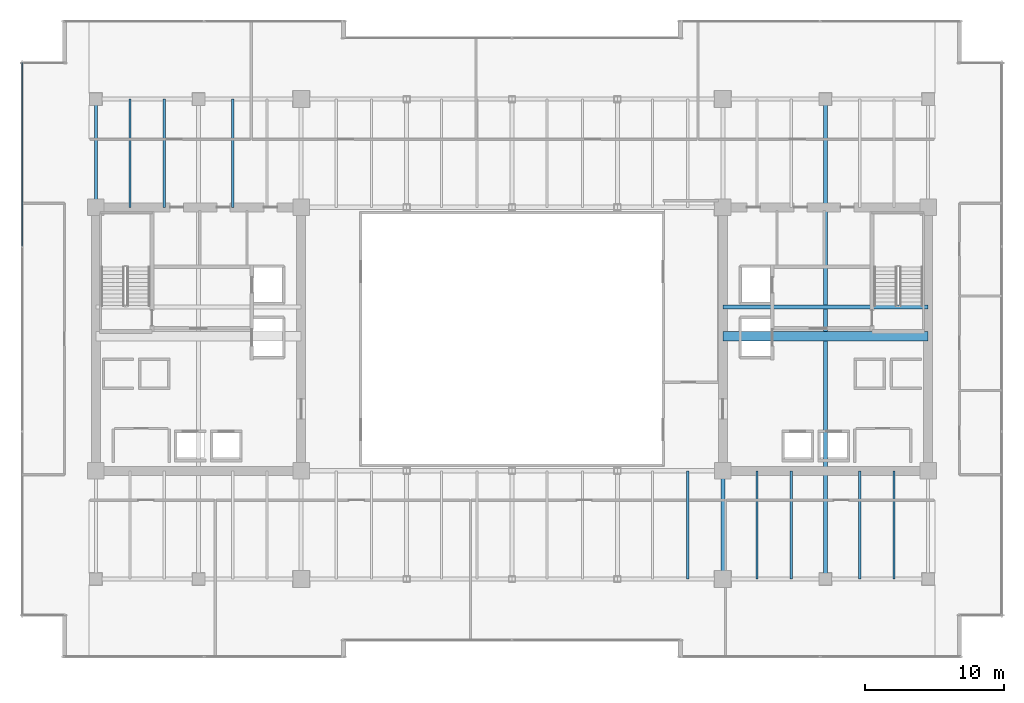
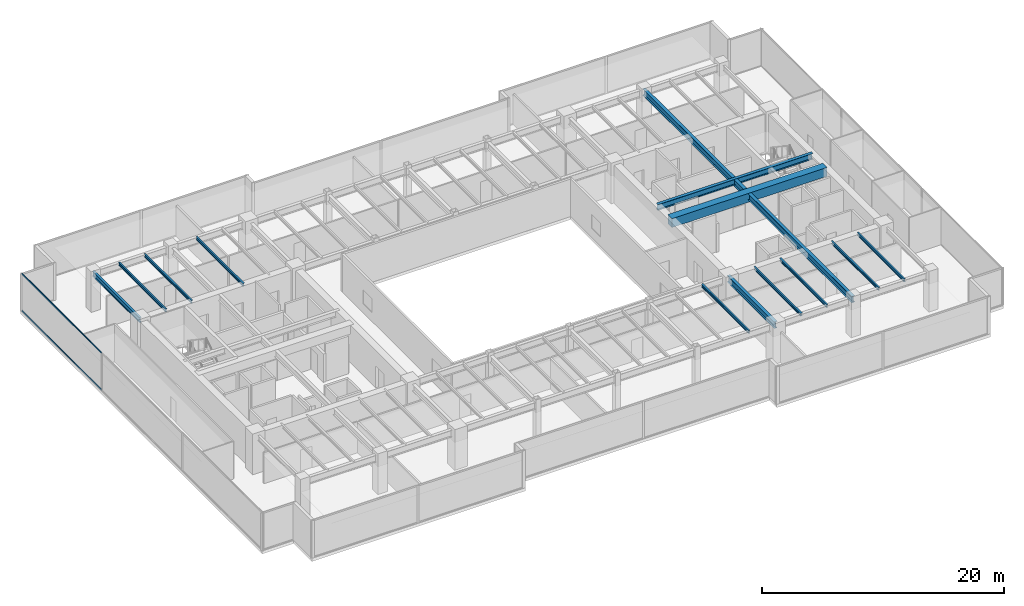
# One storey, part 13 of 33: 13 beams, 2 members, 1 element without a shape of its own.
"""IFC4 building model written with IfcOpenShell, lengths in metres."""

from ifc_helpers import new_model, si_unit, direction, frame, origin, origin_2d, place, context, subcontext, project, spatial, rectangle, hollow_rectangle, i_section, extrude, source, transform, mapped, material, layer, layer_set, material_profile, profile_set, type_object, type_shapes, element, aggregate, save


model = new_model("IFC4")

# Units and contexts
model_context = context("Model", 3, precision=1e-05, world=origin(), true_north=direction((0.0, 1.0)))
body_context = subcontext(model_context, "Body", "Model", "MODEL_VIEW")
ifc_project = project(units=[si_unit("LENGTHUNIT", "METRE"), si_unit("AREAUNIT", "SQUARE_METRE"), si_unit("VOLUMEUNIT", "CUBIC_METRE"), si_unit("PLANEANGLEUNIT", "RADIAN"), si_unit("MASSUNIT", "GRAM", prefix="KILO")], contexts=[model_context])

# Site, building, storey
site_placement = place(None, origin())
site = spatial("IfcSite", under=ifc_project, at=site_placement, CompositionType="ELEMENT")
building_placement = place(site_placement, origin())
building = spatial("IfcBuilding", under=site, at=building_placement, Name="Haelvirn Gate Laboratories", CompositionType="ELEMENT")
storey_placement = place(building_placement, frame((0.0, 0.0, 117.39990234375)))
storey = spatial("IfcBuildingStorey", under=building, at=storey_placement, Name="L28", CompositionType="ELEMENT", Elevation=117.39990234375)

# Beams
ifc_material_1 = material(Name="Concrete C60/75", Category="concrete")
ifc_material_profile_1 = material_profile(ifc_material_1, rectangle(XDim=0.699951171875, YDim=0.89990234375, at=origin_2d()), Name="RCB-700x900")
ifc_profile_set_1 = profile_set([ifc_material_profile_1], Name="Concrete C60/75")
beam_type_1 = type_object("IfcBeamType", Name="BM-RCB-900", PredefinedType="LINTEL", material=ifc_profile_set_1)
shared_shape_1 = source(origin(), body_context, "Body", "SweptSolid", [
    extrude(rectangle(XDim=0.699951171875, YDim=0.89990234375, at=origin_2d()), origin(), (0.0, 0.0, 1.0), 14.7998046875),
])
type_shapes(beam_type_1, [shared_shape_1])
beam_1_placement = place(storey_placement, frame((52.60009765625, 24.5, 3.340087890625), z_axis=(1.0, 0.0, 0.0), x_axis=(0.0, 1.0, 0.0)))
element("IfcBeam", 1, at=beam_1_placement, inside=storey, type_object=beam_type_1, Name="L28 East Core Coupling Beam", PredefinedType="LINTEL", context=body_context, shape_type="MappedRepresentation", body=[
    mapped(shared_shape_1, transform((0.0, 0.0, 0.0), scale=1.0)),
])
ifc_material_2 = material(Name="Steel SM355", Category="steel")
ifc_material_profile_2 = material_profile(ifc_material_2, i_section(OverallWidth=0.300048828125, OverallDepth=0.587890625, WebThickness=0.011962890625, FlangeThickness=0.02001953125, at=origin_2d()), Name="H-588x300x12x20")
ifc_profile_set_2 = profile_set([ifc_material_profile_2], Name="Steel SM355")
beam_type_2 = type_object("IfcBeamType", Name="BM-G-588", PredefinedType="BEAM", material=ifc_profile_set_2)
shared_shape_2 = source(origin(), body_context, "Body", "SweptSolid", [
    extrude(i_section(OverallWidth=0.300048828125, OverallDepth=0.587890625, WebThickness=0.011962890625, FlangeThickness=0.02001953125, at=origin_2d()), origin(), (0.0, 0.0, 1.0), 14.7998046875),
])
type_shapes(beam_type_2, [shared_shape_2])
beam_2_placement = place(storey_placement, frame((52.60009765625, 26.6201171875, 3.49609375), z_axis=(1.0, 0.0, 0.0), x_axis=(0.0, 1.0, 0.0)))
element("IfcBeam", 2, at=beam_2_placement, inside=storey, type_object=beam_type_2, Name="L28 Stair ST2 Landing Header", PredefinedType="BEAM", context=body_context, shape_type="MappedRepresentation", body=[
    mapped(shared_shape_2, transform((0.0, 0.0, 0.0), scale=1.0)),
])
ifc_material_profile_3 = material_profile(ifc_material_2, i_section(OverallWidth=0.199951171875, OverallDepth=0.5, WebThickness=0.010009765625, FlangeThickness=0.01611328125, at=origin_2d()), Name="H-500x200x10x16")
ifc_profile_set_3 = profile_set([ifc_material_profile_3], Name="Steel SM355")
beam_type_3 = type_object("IfcBeamType", Name="BM-SP-500", PredefinedType="SPANDREL", material=ifc_profile_set_3)
shared_shape_3 = source(origin(), body_context, "Body", "SweptSolid", [
    extrude(i_section(OverallWidth=0.199951171875, OverallDepth=0.5, WebThickness=0.010009765625, FlangeThickness=0.01611328125, at=origin_2d()), origin(), (0.0, 0.0, 1.0), 7.800048828125),
])
type_shapes(beam_type_3, [shared_shape_3])
beam_3_placement = place(storey_placement, frame((7.39990234375, 33.800048828125, 3.5400390625), z_axis=(0.0, 1.0, 0.0), x_axis=(-1.0, 0.0, 0.0)))
element("IfcBeam", 3, at=beam_3_placement, inside=storey, type_object=beam_type_3, Name="L28 Perimeter Spandrel X7.4 (33.8-41.6)", PredefinedType="SPANDREL", context=body_context, shape_type="MappedRepresentation", body=[
    mapped(shared_shape_3, transform((0.0, 0.0, 0.0), scale=1.0)),
])
ifc_material_profile_4 = material_profile(ifc_material_2, i_section(OverallWidth=0.300048828125, OverallDepth=0.64990234375, WebThickness=0.012939453125, FlangeThickness=0.02197265625, at=origin_2d()), Name="H-650x300x13x22")
ifc_profile_set_4 = profile_set([ifc_material_profile_4], Name="Steel SM355")
beam_type_4 = type_object("IfcBeamType", Name="BM-G-650", PredefinedType="BEAM", material=ifc_profile_set_4)
shared_shape_4 = source(origin(), body_context, "Body", "SweptSolid", [
    extrude(i_section(OverallWidth=0.300048828125, OverallDepth=0.64990234375, WebThickness=0.012939453125, FlangeThickness=0.02197265625, at=origin_2d()), origin(), (0.0, 0.0, 1.0), 34.60009765625),
])
beam_4_placement = place(storey_placement, frame((60.0, 7.0, 3.465087890625), z_axis=(0.0, 1.0, 0.0), x_axis=(-1.0, 0.0, 0.0)))
element("IfcBeam", 4, at=beam_4_placement, inside=storey, type_object=beam_type_4, Name="L28 Frame Girder X60.0 (7.0-41.6)", PredefinedType="BEAM", context=body_context, shape_type="MappedRepresentation", body=[
    mapped(shared_shape_4, transform((0.0, 0.0, 0.0), scale=1.0)),
])
shared_shape_5 = source(origin(), body_context, "Body", "SweptSolid", [
    extrude(i_section(OverallWidth=0.300048828125, OverallDepth=0.64990234375, WebThickness=0.012939453125, FlangeThickness=0.02197265625, at=origin_2d()), origin(), (0.0, 0.0, 1.0), 7.800048828125),
])
type_shapes(beam_type_4, [shared_shape_4, shared_shape_5])
beam_5_placement = place(storey_placement, frame((52.60009765625, 7.0, 3.465087890625), z_axis=(0.0, 1.0, 0.0), x_axis=(-1.0, 0.0, 0.0)))
element("IfcBeam", 5, at=beam_5_placement, inside=storey, type_object=beam_type_4, Name="L28 Frame Girder X52.6 (7.0-14.8)", PredefinedType="BEAM", context=body_context, shape_type="MappedRepresentation", body=[
    mapped(shared_shape_5, transform((0.0, 0.0, 0.0), scale=1.0)),
])
ifc_material_profile_5 = material_profile(ifc_material_2, i_section(OverallWidth=0.14990234375, OverallDepth=0.300048828125, WebThickness=0.006591796875, FlangeThickness=0.009033203125, at=origin_2d()), Name="H-300x150x6.5x9")
ifc_profile_set_5 = profile_set([ifc_material_profile_5], Name="Steel SM355")
beam_type_5 = type_object("IfcBeamType", Name="BM-J-300", PredefinedType="JOIST", material=ifc_profile_set_5)
shared_shape_6 = source(origin(), body_context, "Body", "SweptSolid", [
    extrude(i_section(OverallWidth=0.14990234375, OverallDepth=0.300048828125, WebThickness=0.006591796875, FlangeThickness=0.009033203125, at=origin_2d()), origin(), (0.0, 0.0, 1.0), 7.800048828125),
])
type_shapes(beam_type_5, [shared_shape_6])
for number, where, z_axis, x_axis, name in (
    (6, (9.8701171875, 33.800048828125, 3.64013671875), (0.0, 1.0, 0.0), (-1.0, 0.0, 0.0), "L28 Composite Lab Joist North X9.87"),
    (7, (12.330078125, 33.800048828125, 3.64013671875), (0.0, 1.0, 0.0), (-1.0, 0.0, 0.0), "L28 Composite Lab Joist North X12.33"),
    (8, (17.27001953125, 33.800048828125, 3.64013671875), (0.0, 1.0, 0.0), (-1.0, 0.0, 0.0), "L28 Composite Lab Joist North X17.27"),
    (9, (50.070068359375, 7.0, 3.64013671875), (0.0, 1.0, 0.0), (-1.0, 0.0, 0.0), "L28 Composite Lab Joist South X50.07"),
    (10, (55.070068359375, 7.0, 3.64013671875), (0.0, 1.0, 0.0), (-1.0, 0.0, 0.0), "L28 Composite Lab Joist South X55.07"),
    (11, (57.530029296875, 7.0, 3.64013671875), (0.0, 1.0, 0.0), (-1.0, 0.0, 0.0), "L28 Composite Lab Joist South X57.53"),
    (12, (62.469970703125, 7.0, 3.64013671875), (0.0, 1.0, 0.0), (-1.0, 0.0, 0.0), "L28 Composite Lab Joist South X62.47"),
    (13, (64.929931640625, 7.0, 3.64013671875), (0.0, 1.0, 0.0), (-1.0, 0.0, 0.0), "L28 Composite Lab Joist South X64.93"),
):
    element("IfcBeam", number, at=place(storey_placement, frame(where, z_axis=z_axis, x_axis=x_axis)), inside=storey, type_object=beam_type_5, Name=name, PredefinedType="JOIST", context=body_context, shape_type="MappedRepresentation", body=[
        mapped(shared_shape_6, transform((0.0, 0.0, 0.0), scale=1.0)),
    ])

# Curtain wall, members
ifc_material_3 = material(Name="Anodised bronze unitised aluminium & triple low-E glass", Category="aluminium")
ifc_layer = layer(ifc_material_3, 0.179931640625, Name="CW-SYS-3")
ifc_layer_set = layer_set([ifc_layer], Name="Anodised bronze unitised aluminium & triple low-E glass")
curtain_wall_type = type_object("IfcCurtainWallType", Name="CW-SYS-3", PredefinedType="NOTDEFINED", material=ifc_layer_set)
curtain_wall_placement = place(storey_placement, origin())
curtain_wall = element("IfcCurtainWall", 14, at=curtain_wall_placement, inside=storey, type_object=curtain_wall_type, Name="L28 Unitised Curtain Wall CW-L28-P0-E17", PredefinedType="NOTDEFINED")
ifc_material_4 = material(Name="Extruded aluminium 6063-T6 (anodised bronze)", Category="aluminium")
ifc_material_profile_6 = material_profile(ifc_material_4, hollow_rectangle(XDim=0.06494140625, YDim=0.139892578125, WallThickness=0.00390625, at=origin_2d()), Name="CWT-140x65x4")
ifc_profile_set_6 = profile_set([ifc_material_profile_6], Name="Extruded aluminium 6063-T6 (anodised bronze)")
member_type = type_object("IfcMemberType", Name="CWT-T140", PredefinedType="USERDEFINED", material=ifc_profile_set_6)
shared_shape_7 = source(origin(), body_context, "Body", "SweptSolid", [
    extrude(hollow_rectangle(XDim=0.06494140625, YDim=0.139892578125, WallThickness=0.00390625, at=origin_2d()), origin(), (0.0, 0.0, 1.0), 13.220947265625),
])
type_shapes(member_type, [shared_shape_7])
member_1_placement = place(storey_placement, frame((2.10009765625, 44.22509765625, 0.03271484375), z_axis=(0.0, -1.0, 0.0), x_axis=(1.0, 0.0, 0.0)))
member_1 = element("IfcMember", 15, at=member_1_placement, type_object=member_type, Name="CW3 transom 1.1", ObjectType="TRANSOM", PredefinedType="USERDEFINED", context=body_context, shape_type="MappedRepresentation", body=[
    mapped(shared_shape_7, transform((0.0, 0.0, 0.0), scale=1.0)),
])
member_2_placement = place(storey_placement, frame((2.10009765625, 44.22509765625, 3.757568359375), z_axis=(0.0, -1.0, 0.0), x_axis=(1.0, 0.0, 0.0)))
member_2 = element("IfcMember", 16, at=member_2_placement, type_object=member_type, Name="CW3 transom 1.2", ObjectType="TRANSOM", PredefinedType="USERDEFINED", context=body_context, shape_type="MappedRepresentation", body=[
    mapped(shared_shape_7, transform((0.0, 0.0, 0.0), scale=1.0)),
])
aggregate(curtain_wall, [member_1, member_2])

save(model, "model.ifc")
